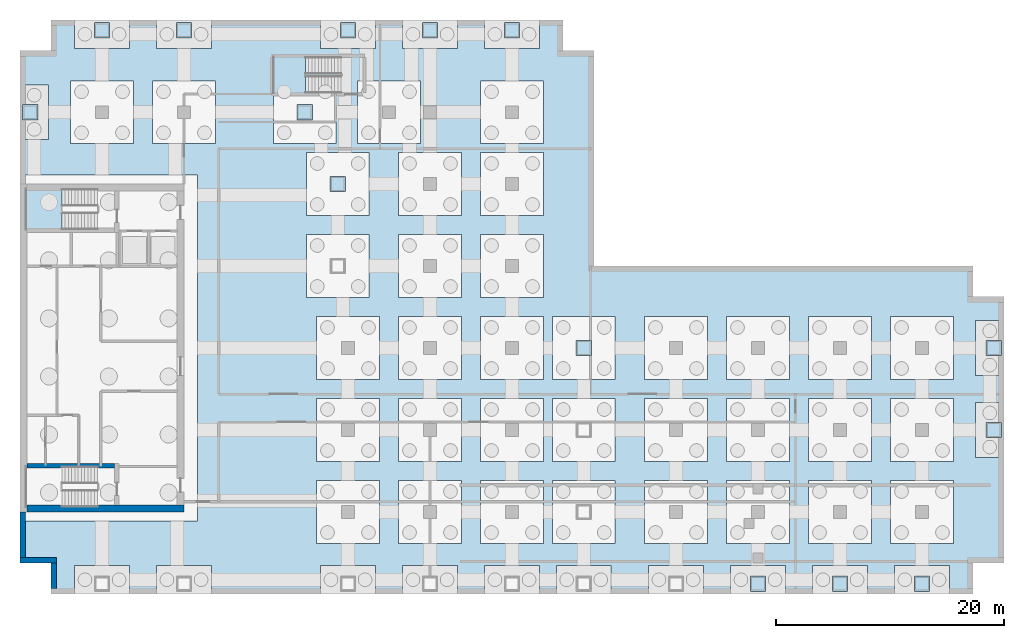
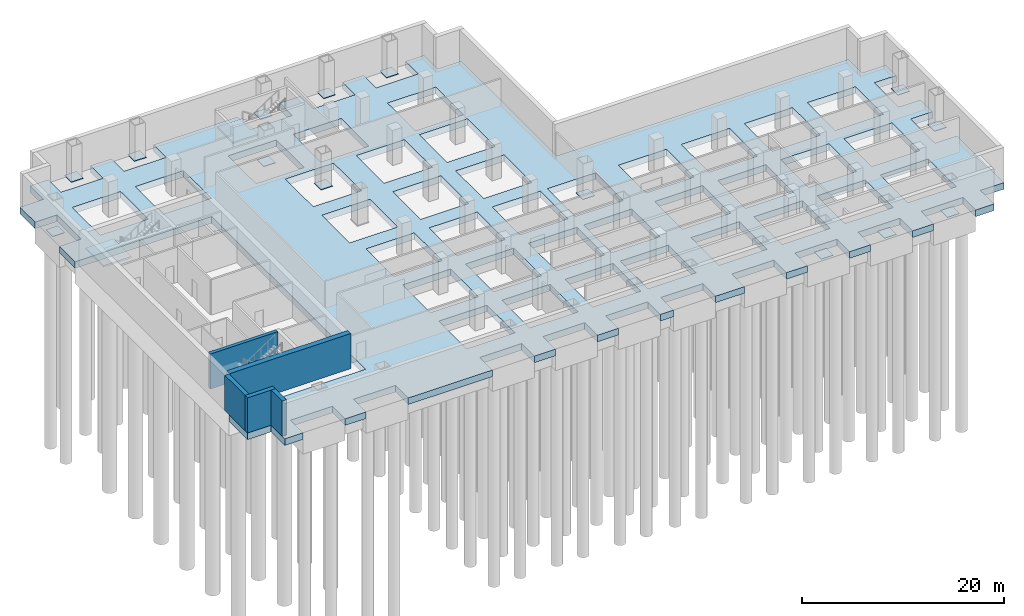
# One storey, part 4 of 11: 14 plates, 5 walls, 3 slabs, 35 openings, 2 elements without a shape of their own.
"""IFC4 building model written with IfcOpenShell, lengths in metres."""

from ifc_helpers import new_model, si_unit, direction, frame, frame_2d, origin, origin_2d, place, context, subcontext, project, spatial, polyline, rectangle, outline, extrude, material, layer, layer_set, type_object, element, aggregate, save


model = new_model("IFC4")

# Units and contexts
model_context = context("Model", 3, precision=1e-05, world=origin(), true_north=direction((0.0, 1.0)))
body_context = subcontext(model_context, "Body", "Model", "MODEL_VIEW")
ifc_project = project(units=[si_unit("LENGTHUNIT", "METRE"), si_unit("AREAUNIT", "SQUARE_METRE"), si_unit("VOLUMEUNIT", "CUBIC_METRE"), si_unit("PLANEANGLEUNIT", "RADIAN"), si_unit("MASSUNIT", "GRAM", prefix="KILO")], contexts=[model_context])

# Site, building, storey
site_placement = place(None, origin())
site = spatial("IfcSite", under=ifc_project, at=site_placement, CompositionType="ELEMENT")
building_placement = place(site_placement, origin())
building = spatial("IfcBuilding", under=site, at=building_placement, Name="Cobrela Telecom Tower", CompositionType="ELEMENT")
storey_placement = place(building_placement, frame((0.0, 0.0, -9.10009765625)))
storey = spatial("IfcBuildingStorey", under=building, at=storey_placement, Name="B2", CompositionType="ELEMENT", Elevation=-9.10009765625)

# Plates
ifc_material_1 = material(Name="Steel ASTM A572 Grade 50", Category="steel")
ifc_layer_1 = layer(ifc_material_1, 0.06005859375)
ifc_layer_set_1 = layer_set([ifc_layer_1], Name="Steel ASTM A572 Grade 50")
plate_type = type_object("IfcPlateType", Name="PLT-COL-BASE-60", PredefinedType="USERDEFINED", material=ifc_layer_set_1)
for number, where, z_axis, x_axis, name in (
    (1, (0.89990234375, 42.300048828125, 0.0), (0.0, 0.0, 1.0), (1.0, 0.0, 0.0), "B2 Mega-Column Base Plate 01"),
    (2, (7.199951171875, 49.5, 0.0), (0.0, 0.0, 1.0), (1.0, 0.0, 0.0), "B2 Mega-Column Base Plate 04"),
    (3, (14.39990234375, 49.5, 0.0), (0.0, 0.0, 1.0), (1.0, 0.0, 0.0), "B2 Mega-Column Base Plate 07"),
    (4, (25.0, 42.300048828125, 0.0), (0.0, 0.0, 1.0), (1.0, 0.0, 0.0), "B2 Mega-Column Base Plate 08"),
    (5, (27.89990234375, 36.0, 0.0), (0.0, 0.0, 1.0), (1.0, 0.0, 0.0), "B2 Mega-Column Base Plate 10"),
    (6, (28.800048828125, 49.5, 0.0), (0.0, 0.0, 1.0), (1.0, 0.0, 0.0), "B2 Mega-Column Base Plate 15"),
    (7, (36.0, 49.5, 0.0), (0.0, 0.0, 1.0), (1.0, 0.0, 0.0), "B2 Mega-Column Base Plate 24"),
    (8, (43.199951171875, 49.5, 0.0), (0.0, 0.0, 1.0), (1.0, 0.0, 0.0), "B2 Mega-Column Base Plate 32"),
    (9, (49.5, 21.60009765625, 0.0), (0.0, 0.0, 1.0), (1.0, 0.0, 0.0), "B2 Mega-Column Base Plate 36"),
    (10, (64.800048828125, 0.89990234375, 0.0), (0.0, 0.0, 1.0), (1.0, 0.0, 0.0), "B2 Mega-Column Base Plate 41"),
    (11, (72.0, 0.89990234375, 0.0), (0.0, 0.0, 1.0), (1.0, 0.0, 0.0), "B2 Mega-Column Base Plate 45"),
    (12, (79.199951171875, 0.89990234375, 0.0), (0.0, 0.0, 1.0), (1.0, 0.0, 0.0), "B2 Mega-Column Base Plate 49"),
    (13, (85.5, 14.39990234375, 0.0), (0.0, 0.0, 1.0), (1.0, 0.0, 0.0), "B2 Mega-Column Base Plate 53"),
    (14, (85.5, 21.60009765625, 0.0), (0.0, 0.0, 1.0), (1.0, 0.0, 0.0), "B2 Mega-Column Base Plate 54"),
):
    element("IfcPlate", number, at=place(storey_placement, frame(where, z_axis=z_axis, x_axis=x_axis)), inside=storey, type_object=plate_type, Name=name, ObjectType="BASE PLATE", PredefinedType="USERDEFINED", context=body_context, shape_type="SweptSolid", body=[
        extrude(rectangle(XDim=1.360107421875, YDim=1.360107421875, at=origin_2d()), origin(), (0.0, 0.0, 1.0), 0.06005859375),
    ])

# Slab, openings
ifc_material_2 = material(Name="Concrete C40/50", Category="concrete")
ifc_layer_2 = layer(ifc_material_2, 0.800048828125)
ifc_layer_set_2 = layer_set([ifc_layer_2], Name="Concrete C40/50")
slab_type_1 = type_object("IfcSlabType", Name="SLAB-BASE-800", PredefinedType="BASESLAB", material=ifc_layer_set_2)
slab_1_placement = place(storey_placement, frame((0.0, 0.0, -0.7998046875)))
slab_1 = element("IfcSlab", 15, at=slab_1_placement, inside=storey, type_object=slab_type_1, Name="Basement B2 Raft Base Slab 1", PredefinedType="BASESLAB", context=body_context, shape_type="SweptSolid", body=[
    extrude(outline(polyline([(38.39990234375, 47.89990234375), (38.39990234375, 50.39990234375), (40.800048828125, 50.39990234375), (40.800048828125, 47.89990234375), (45.60009765625, 47.89990234375), (45.60009765625, 50.39990234375), (47.699951171875, 50.39990234375), (47.699951171875, 47.699951171875), (50.39990234375, 47.699951171875), (50.39990234375, 28.800048828125), (83.699951171875, 28.800048828125), (83.699951171875, 26.10009765625), (86.39990234375, 26.10009765625), (86.39990234375, 24.0), (83.89990234375, 24.0), (83.89990234375, 19.199951171875), (86.39990234375, 19.199951171875), (86.39990234375, 16.800048828125), (83.89990234375, 16.800048828125), (83.89990234375, 12.0), (86.39990234375, 12.0), (86.39990234375, 2.699951171875), (83.699951171875, 2.699951171875), (83.699951171875, 0.0), (81.60009765625, 0.0), (81.60009765625, 2.5), (76.800048828125, 2.5), (76.800048828125, 0.0), (74.39990234375, 0.0), (74.39990234375, 2.5), (69.60009765625, 2.5), (69.60009765625, 0.0), (67.199951171875, 0.0), (67.199951171875, 2.5), (62.39990234375, 2.5), (62.39990234375, 0.0), (60.0, 0.0), (60.0, 2.5), (55.199951171875, 2.5), (55.199951171875, 0.0), (51.89990234375, 0.0), (51.89990234375, 2.5), (47.10009765625, 2.5), (47.10009765625, 0.0), (45.60009765625, 0.0), (45.60009765625, 2.5), (40.800048828125, 2.5), (40.800048828125, 0.0), (38.39990234375, 0.0), (38.39990234375, 2.5), (33.60009765625, 2.5), (33.60009765625, 0.0), (31.199951171875, 0.0), (31.199951171875, 2.5), (26.39990234375, 2.5), (26.39990234375, 0.0), (16.800048828125, 0.0), (16.800048828125, 2.5), (12.0, 2.5), (12.0, 0.0), (9.60009765625, 0.0), (9.60009765625, 2.5), (4.800048828125, 2.5), (4.800048828125, 0.0), (2.699951171875, 0.0), (2.699951171875, 2.699951171875), (0.0, 2.699951171875), (0.0, 6.39990234375), (15.60009765625, 6.39990234375), (15.60009765625, 36.800048828125), (0.0, 36.800048828125), (0.0, 39.89990234375), (2.5, 39.89990234375), (2.5, 44.699951171875), (0.0, 44.699951171875), (0.0, 47.699951171875), (2.699951171875, 47.699951171875), (2.699951171875, 50.39990234375), (4.800048828125, 50.39990234375), (4.800048828125, 47.89990234375), (9.60009765625, 47.89990234375), (9.60009765625, 50.39990234375), (12.0, 50.39990234375), (12.0, 47.89990234375), (16.800048828125, 47.89990234375), (16.800048828125, 50.39990234375), (26.39990234375, 50.39990234375), (26.39990234375, 47.89990234375), (31.199951171875, 47.89990234375), (31.199951171875, 50.39990234375), (33.60009765625, 50.39990234375), (33.60009765625, 47.89990234375), (38.39990234375, 47.89990234375)])), origin(), (0.0, 0.0, 1.0), 0.7998046875),
])
opening_1_placement = place(slab_1_placement, frame((0.0, 0.0, -0.02001953125)))
element("IfcOpeningElement", 16, at=opening_1_placement, cuts=slab_1, Name="Slab Shaft Opening SLAB-B2-BASE-1.1", PredefinedType="OPENING", context=body_context, shape_type="SweptSolid", body=[
    extrude(outline(polyline([(4.449951171875, 39.550048828125), (9.949951171875, 39.550048828125), (9.949951171875, 45.050048828125), (4.449951171875, 45.050048828125), (4.449951171875, 39.550048828125)])), origin(), (0.0, 0.0, 1.0), 0.83984375),
])
opening_2_placement = place(slab_1_placement, frame((0.0, 0.0, -0.02001953125)))
element("IfcOpeningElement", 17, at=opening_2_placement, cuts=slab_1, Name="Slab Shaft Opening SLAB-B2-BASE-1.2", PredefinedType="OPENING", context=body_context, shape_type="SweptSolid", body=[
    extrude(outline(polyline([(17.14990234375, 39.550048828125), (17.14990234375, 45.050048828125), (11.64990234375, 45.050048828125), (11.64990234375, 39.550048828125), (17.14990234375, 39.550048828125)])), origin(), (0.0, 0.0, 1.0), 0.83984375),
])
opening_3_placement = place(slab_1_placement, frame((0.0, 0.0, -0.02001953125)))
element("IfcOpeningElement", 18, at=opening_3_placement, cuts=slab_1, Name="Slab Shaft Opening SLAB-B2-BASE-1.3", PredefinedType="OPENING", context=body_context, shape_type="SweptSolid", body=[
    extrude(outline(polyline([(22.25, 45.050048828125), (22.25, 39.550048828125), (27.75, 39.550048828125), (27.75, 45.050048828125), (22.25, 45.050048828125)])), origin(), (0.0, 0.0, 1.0), 0.83984375),
])
opening_4_placement = place(slab_1_placement, frame((0.0, 0.0, -0.02001953125)))
element("IfcOpeningElement", 19, at=opening_4_placement, cuts=slab_1, Name="Slab Shaft Opening SLAB-B2-BASE-1.4", PredefinedType="OPENING", context=body_context, shape_type="SweptSolid", body=[
    extrude(outline(polyline([(30.64990234375, 31.550048828125), (25.14990234375, 31.550048828125), (25.14990234375, 26.050048828125), (30.64990234375, 26.050048828125), (30.64990234375, 31.550048828125)])), origin(), (0.0, 0.0, 1.0), 0.83984375),
])
opening_5_placement = place(slab_1_placement, frame((0.0, 0.0, -0.02001953125)))
element("IfcOpeningElement", 20, at=opening_5_placement, cuts=slab_1, Name="Slab Shaft Opening SLAB-B2-BASE-1.5", PredefinedType="OPENING", context=body_context, shape_type="SweptSolid", body=[
    extrude(outline(polyline([(30.64990234375, 33.25), (30.64990234375, 38.75), (25.14990234375, 38.75), (25.14990234375, 33.25), (30.64990234375, 33.25)])), origin(), (0.0, 0.0, 1.0), 0.83984375),
])
opening_6_placement = place(slab_1_placement, frame((0.0, 0.0, -0.02001953125)))
element("IfcOpeningElement", 21, at=opening_6_placement, cuts=slab_1, Name="Slab Shaft Opening SLAB-B2-BASE-1.6", PredefinedType="OPENING", context=body_context, shape_type="SweptSolid", body=[
    extrude(outline(polyline([(26.050048828125, 9.949951171875), (26.050048828125, 4.449951171875), (31.550048828125, 4.449951171875), (31.550048828125, 9.949951171875), (26.050048828125, 9.949951171875)])), origin(), (0.0, 0.0, 1.0), 0.83984375),
])
opening_7_placement = place(slab_1_placement, frame((0.0, 0.0, -0.02001953125)))
element("IfcOpeningElement", 22, at=opening_7_placement, cuts=slab_1, Name="Slab Shaft Opening SLAB-B2-BASE-1.7", PredefinedType="OPENING", context=body_context, shape_type="SweptSolid", body=[
    extrude(outline(polyline([(31.550048828125, 17.14990234375), (26.050048828125, 17.14990234375), (26.050048828125, 11.64990234375), (31.550048828125, 11.64990234375), (31.550048828125, 17.14990234375)])), origin(), (0.0, 0.0, 1.0), 0.83984375),
])
opening_8_placement = place(slab_1_placement, frame((0.0, 0.0, -0.02001953125)))
element("IfcOpeningElement", 23, at=opening_8_placement, cuts=slab_1, Name="Slab Shaft Opening SLAB-B2-BASE-1.8", PredefinedType="OPENING", context=body_context, shape_type="SweptSolid", body=[
    extrude(outline(polyline([(31.550048828125, 18.85009765625), (31.550048828125, 24.35009765625), (26.050048828125, 24.35009765625), (26.050048828125, 18.85009765625), (31.550048828125, 18.85009765625)])), origin(), (0.0, 0.0, 1.0), 0.83984375),
])
opening_9_placement = place(slab_1_placement, frame((0.0, 0.0, -0.02001953125)))
element("IfcOpeningElement", 24, at=opening_9_placement, cuts=slab_1, Name="Slab Shaft Opening SLAB-B2-BASE-1.9", PredefinedType="OPENING", context=body_context, shape_type="SweptSolid", body=[
    extrude(outline(polyline([(29.64990234375, 45.050048828125), (29.64990234375, 39.550048828125), (35.14990234375, 39.550048828125), (35.14990234375, 45.050048828125), (29.64990234375, 45.050048828125)])), origin(), (0.0, 0.0, 1.0), 0.83984375),
])
opening_10_placement = place(slab_1_placement, frame((0.0, 0.0, -0.02001953125)))
element("IfcOpeningElement", 25, at=opening_10_placement, cuts=slab_1, Name="Slab Shaft Opening SLAB-B2-BASE-1.10", PredefinedType="OPENING", context=body_context, shape_type="SweptSolid", body=[
    extrude(outline(polyline([(38.75, 4.449951171875), (38.75, 9.949951171875), (33.25, 9.949951171875), (33.25, 4.449951171875), (38.75, 4.449951171875)])), origin(), (0.0, 0.0, 1.0), 0.83984375),
])
opening_11_placement = place(slab_1_placement, frame((0.0, 0.0, -0.02001953125)))
element("IfcOpeningElement", 26, at=opening_11_placement, cuts=slab_1, Name="Slab Shaft Opening SLAB-B2-BASE-1.11", PredefinedType="OPENING", context=body_context, shape_type="SweptSolid", body=[
    extrude(outline(polyline([(33.25, 11.64990234375), (38.75, 11.64990234375), (38.75, 17.14990234375), (33.25, 17.14990234375), (33.25, 11.64990234375)])), origin(), (0.0, 0.0, 1.0), 0.83984375),
])
opening_12_placement = place(slab_1_placement, frame((0.0, 0.0, -0.02001953125)))
element("IfcOpeningElement", 27, at=opening_12_placement, cuts=slab_1, Name="Slab Shaft Opening SLAB-B2-BASE-1.12", PredefinedType="OPENING", context=body_context, shape_type="SweptSolid", body=[
    extrude(outline(polyline([(33.25, 24.35009765625), (33.25, 18.85009765625), (38.75, 18.85009765625), (38.75, 24.35009765625), (33.25, 24.35009765625)])), origin(), (0.0, 0.0, 1.0), 0.83984375),
])
opening_13_placement = place(slab_1_placement, frame((0.0, 0.0, -0.02001953125)))
element("IfcOpeningElement", 28, at=opening_13_placement, cuts=slab_1, Name="Slab Shaft Opening SLAB-B2-BASE-1.13", PredefinedType="OPENING", context=body_context, shape_type="SweptSolid", body=[
    extrude(outline(polyline([(38.75, 31.550048828125), (33.25, 31.550048828125), (33.25, 26.050048828125), (38.75, 26.050048828125), (38.75, 31.550048828125)])), origin(), (0.0, 0.0, 1.0), 0.83984375),
])
opening_14_placement = place(slab_1_placement, frame((0.0, 0.0, -0.02001953125)))
element("IfcOpeningElement", 29, at=opening_14_placement, cuts=slab_1, Name="Slab Shaft Opening SLAB-B2-BASE-1.14", PredefinedType="OPENING", context=body_context, shape_type="SweptSolid", body=[
    extrude(outline(polyline([(38.75, 33.25), (38.75, 38.75), (33.25, 38.75), (33.25, 33.25), (38.75, 33.25)])), origin(), (0.0, 0.0, 1.0), 0.83984375),
])
opening_15_placement = place(slab_1_placement, frame((0.0, 0.0, -0.02001953125)))
element("IfcOpeningElement", 30, at=opening_15_placement, cuts=slab_1, Name="Slab Shaft Opening SLAB-B2-BASE-1.15", PredefinedType="OPENING", context=body_context, shape_type="SweptSolid", body=[
    extrude(outline(polyline([(45.949951171875, 9.949951171875), (40.449951171875, 9.949951171875), (40.449951171875, 4.449951171875), (45.949951171875, 4.449951171875), (45.949951171875, 9.949951171875)])), origin(), (0.0, 0.0, 1.0), 0.83984375),
])
opening_16_placement = place(slab_1_placement, frame((0.0, 0.0, -0.02001953125)))
element("IfcOpeningElement", 31, at=opening_16_placement, cuts=slab_1, Name="Slab Shaft Opening SLAB-B2-BASE-1.16", PredefinedType="OPENING", context=body_context, shape_type="SweptSolid", body=[
    extrude(outline(polyline([(45.949951171875, 11.64990234375), (45.949951171875, 17.14990234375), (40.449951171875, 17.14990234375), (40.449951171875, 11.64990234375), (45.949951171875, 11.64990234375)])), origin(), (0.0, 0.0, 1.0), 0.83984375),
])
opening_17_placement = place(slab_1_placement, frame((0.0, 0.0, -0.02001953125)))
element("IfcOpeningElement", 32, at=opening_17_placement, cuts=slab_1, Name="Slab Shaft Opening SLAB-B2-BASE-1.17", PredefinedType="OPENING", context=body_context, shape_type="SweptSolid", body=[
    extrude(outline(polyline([(40.449951171875, 18.85009765625), (45.949951171875, 18.85009765625), (45.949951171875, 24.35009765625), (40.449951171875, 24.35009765625), (40.449951171875, 18.85009765625)])), origin(), (0.0, 0.0, 1.0), 0.83984375),
])
opening_18_placement = place(slab_1_placement, frame((0.0, 0.0, -0.02001953125)))
element("IfcOpeningElement", 33, at=opening_18_placement, cuts=slab_1, Name="Slab Shaft Opening SLAB-B2-BASE-1.18", PredefinedType="OPENING", context=body_context, shape_type="SweptSolid", body=[
    extrude(outline(polyline([(40.449951171875, 31.550048828125), (40.449951171875, 26.050048828125), (45.949951171875, 26.050048828125), (45.949951171875, 31.550048828125), (40.449951171875, 31.550048828125)])), origin(), (0.0, 0.0, 1.0), 0.83984375),
])
opening_19_placement = place(slab_1_placement, frame((0.0, 0.0, -0.02001953125)))
element("IfcOpeningElement", 34, at=opening_19_placement, cuts=slab_1, Name="Slab Shaft Opening SLAB-B2-BASE-1.19", PredefinedType="OPENING", context=body_context, shape_type="SweptSolid", body=[
    extrude(outline(polyline([(45.949951171875, 38.75), (40.449951171875, 38.75), (40.449951171875, 33.25), (45.949951171875, 33.25), (45.949951171875, 38.75)])), origin(), (0.0, 0.0, 1.0), 0.83984375),
])
opening_20_placement = place(slab_1_placement, frame((0.0, 0.0, -0.02001953125)))
element("IfcOpeningElement", 35, at=opening_20_placement, cuts=slab_1, Name="Slab Shaft Opening SLAB-B2-BASE-1.20", PredefinedType="OPENING", context=body_context, shape_type="SweptSolid", body=[
    extrude(outline(polyline([(45.949951171875, 39.550048828125), (45.949951171875, 45.050048828125), (40.449951171875, 45.050048828125), (40.449951171875, 39.550048828125), (45.949951171875, 39.550048828125)])), origin(), (0.0, 0.0, 1.0), 0.83984375),
])
opening_21_placement = place(slab_1_placement, frame((0.0, 0.0, -0.02001953125)))
element("IfcOpeningElement", 36, at=opening_21_placement, cuts=slab_1, Name="Slab Shaft Opening SLAB-B2-BASE-1.21", PredefinedType="OPENING", context=body_context, shape_type="SweptSolid", body=[
    extrude(outline(polyline([(52.25, 9.949951171875), (46.75, 9.949951171875), (46.75, 4.449951171875), (52.25, 4.449951171875), (52.25, 9.949951171875)])), origin(), (0.0, 0.0, 1.0), 0.83984375),
])
opening_22_placement = place(slab_1_placement, frame((0.0, 0.0, -0.02001953125)))
element("IfcOpeningElement", 37, at=opening_22_placement, cuts=slab_1, Name="Slab Shaft Opening SLAB-B2-BASE-1.22", PredefinedType="OPENING", context=body_context, shape_type="SweptSolid", body=[
    extrude(outline(polyline([(52.25, 11.64990234375), (52.25, 17.14990234375), (46.75, 17.14990234375), (46.75, 11.64990234375), (52.25, 11.64990234375)])), origin(), (0.0, 0.0, 1.0), 0.83984375),
])
opening_23_placement = place(slab_1_placement, frame((0.0, 0.0, -0.02001953125)))
element("IfcOpeningElement", 38, at=opening_23_placement, cuts=slab_1, Name="Slab Shaft Opening SLAB-B2-BASE-1.23", PredefinedType="OPENING", context=body_context, shape_type="SweptSolid", body=[
    extrude(outline(polyline([(46.75, 18.85009765625), (52.25, 18.85009765625), (52.25, 24.35009765625), (46.75, 24.35009765625), (46.75, 18.85009765625)])), origin(), (0.0, 0.0, 1.0), 0.83984375),
])
opening_24_placement = place(slab_1_placement, frame((0.0, 0.0, -0.02001953125)))
element("IfcOpeningElement", 39, at=opening_24_placement, cuts=slab_1, Name="Slab Shaft Opening SLAB-B2-BASE-1.24", PredefinedType="OPENING", context=body_context, shape_type="SweptSolid", body=[
    extrude(outline(polyline([(60.35009765625, 9.949951171875), (54.85009765625, 9.949951171875), (54.85009765625, 4.449951171875), (60.35009765625, 4.449951171875), (60.35009765625, 9.949951171875)])), origin(), (0.0, 0.0, 1.0), 0.83984375),
])
opening_25_placement = place(slab_1_placement, frame((0.0, 0.0, -0.02001953125)))
element("IfcOpeningElement", 40, at=opening_25_placement, cuts=slab_1, Name="Slab Shaft Opening SLAB-B2-BASE-1.25", PredefinedType="OPENING", context=body_context, shape_type="SweptSolid", body=[
    extrude(outline(polyline([(60.35009765625, 11.64990234375), (60.35009765625, 17.14990234375), (54.85009765625, 17.14990234375), (54.85009765625, 11.64990234375), (60.35009765625, 11.64990234375)])), origin(), (0.0, 0.0, 1.0), 0.83984375),
])
opening_26_placement = place(slab_1_placement, frame((0.0, 0.0, -0.02001953125)))
element("IfcOpeningElement", 41, at=opening_26_placement, cuts=slab_1, Name="Slab Shaft Opening SLAB-B2-BASE-1.26", PredefinedType="OPENING", context=body_context, shape_type="SweptSolid", body=[
    extrude(outline(polyline([(54.85009765625, 18.85009765625), (60.35009765625, 18.85009765625), (60.35009765625, 24.35009765625), (54.85009765625, 24.35009765625), (54.85009765625, 18.85009765625)])), origin(), (0.0, 0.0, 1.0), 0.83984375),
])
opening_27_placement = place(slab_1_placement, frame((0.0, 0.0, -0.02001953125)))
element("IfcOpeningElement", 42, at=opening_27_placement, cuts=slab_1, Name="Slab Shaft Opening SLAB-B2-BASE-1.27", PredefinedType="OPENING", context=body_context, shape_type="SweptSolid", body=[
    extrude(outline(polyline([(67.550048828125, 9.949951171875), (62.050048828125, 9.949951171875), (62.050048828125, 4.449951171875), (67.550048828125, 4.449951171875), (67.550048828125, 9.949951171875)])), origin(), (0.0, 0.0, 1.0), 0.83984375),
])
opening_28_placement = place(slab_1_placement, frame((0.0, 0.0, -0.02001953125)))
element("IfcOpeningElement", 43, at=opening_28_placement, cuts=slab_1, Name="Slab Shaft Opening SLAB-B2-BASE-1.28", PredefinedType="OPENING", context=body_context, shape_type="SweptSolid", body=[
    extrude(outline(polyline([(67.550048828125, 11.64990234375), (67.550048828125, 17.14990234375), (62.050048828125, 17.14990234375), (62.050048828125, 11.64990234375), (67.550048828125, 11.64990234375)])), origin(), (0.0, 0.0, 1.0), 0.83984375),
])
opening_29_placement = place(slab_1_placement, frame((0.0, 0.0, -0.02001953125)))
element("IfcOpeningElement", 44, at=opening_29_placement, cuts=slab_1, Name="Slab Shaft Opening SLAB-B2-BASE-1.29", PredefinedType="OPENING", context=body_context, shape_type="SweptSolid", body=[
    extrude(outline(polyline([(62.050048828125, 18.85009765625), (67.550048828125, 18.85009765625), (67.550048828125, 24.35009765625), (62.050048828125, 24.35009765625), (62.050048828125, 18.85009765625)])), origin(), (0.0, 0.0, 1.0), 0.83984375),
])
opening_30_placement = place(slab_1_placement, frame((0.0, 0.0, -0.02001953125)))
element("IfcOpeningElement", 45, at=opening_30_placement, cuts=slab_1, Name="Slab Shaft Opening SLAB-B2-BASE-1.30", PredefinedType="OPENING", context=body_context, shape_type="SweptSolid", body=[
    extrude(outline(polyline([(74.75, 9.949951171875), (69.25, 9.949951171875), (69.25, 4.449951171875), (74.75, 4.449951171875), (74.75, 9.949951171875)])), origin(), (0.0, 0.0, 1.0), 0.83984375),
])
opening_31_placement = place(slab_1_placement, frame((0.0, 0.0, -0.02001953125)))
element("IfcOpeningElement", 46, at=opening_31_placement, cuts=slab_1, Name="Slab Shaft Opening SLAB-B2-BASE-1.31", PredefinedType="OPENING", context=body_context, shape_type="SweptSolid", body=[
    extrude(outline(polyline([(74.75, 11.64990234375), (74.75, 17.14990234375), (69.25, 17.14990234375), (69.25, 11.64990234375), (74.75, 11.64990234375)])), origin(), (0.0, 0.0, 1.0), 0.83984375),
])
opening_32_placement = place(slab_1_placement, frame((0.0, 0.0, -0.02001953125)))
element("IfcOpeningElement", 47, at=opening_32_placement, cuts=slab_1, Name="Slab Shaft Opening SLAB-B2-BASE-1.32", PredefinedType="OPENING", context=body_context, shape_type="SweptSolid", body=[
    extrude(outline(polyline([(69.25, 18.85009765625), (74.75, 18.85009765625), (74.75, 24.35009765625), (69.25, 24.35009765625), (69.25, 18.85009765625)])), origin(), (0.0, 0.0, 1.0), 0.83984375),
])
opening_33_placement = place(slab_1_placement, frame((0.0, 0.0, -0.02001953125)))
element("IfcOpeningElement", 48, at=opening_33_placement, cuts=slab_1, Name="Slab Shaft Opening SLAB-B2-BASE-1.33", PredefinedType="OPENING", context=body_context, shape_type="SweptSolid", body=[
    extrude(outline(polyline([(81.949951171875, 9.949951171875), (76.449951171875, 9.949951171875), (76.449951171875, 4.449951171875), (81.949951171875, 4.449951171875), (81.949951171875, 9.949951171875)])), origin(), (0.0, 0.0, 1.0), 0.83984375),
])
opening_34_placement = place(slab_1_placement, frame((0.0, 0.0, -0.02001953125)))
element("IfcOpeningElement", 49, at=opening_34_placement, cuts=slab_1, Name="Slab Shaft Opening SLAB-B2-BASE-1.34", PredefinedType="OPENING", context=body_context, shape_type="SweptSolid", body=[
    extrude(outline(polyline([(81.949951171875, 11.64990234375), (81.949951171875, 17.14990234375), (76.449951171875, 17.14990234375), (76.449951171875, 11.64990234375), (81.949951171875, 11.64990234375)])), origin(), (0.0, 0.0, 1.0), 0.83984375),
])
opening_35_placement = place(slab_1_placement, frame((0.0, 0.0, -0.02001953125)))
element("IfcOpeningElement", 50, at=opening_35_placement, cuts=slab_1, Name="Slab Shaft Opening SLAB-B2-BASE-1.35", PredefinedType="OPENING", context=body_context, shape_type="SweptSolid", body=[
    extrude(outline(polyline([(76.449951171875, 18.85009765625), (81.949951171875, 18.85009765625), (81.949951171875, 24.35009765625), (76.449951171875, 24.35009765625), (76.449951171875, 18.85009765625)])), origin(), (0.0, 0.0, 1.0), 0.83984375),
])

# Stair, slab
stair_type = type_object("IfcStairType", Name="STAIR-CORE", PredefinedType="HALF_TURN_STAIR", material=ifc_material_2)
stair_1_placement = place(storey_placement, origin())
stair_1 = element("IfcStair", 51, at=stair_1_placement, inside=storey, type_object=stair_type, Name="B2 Smokeproof Exit Stair ST1", PredefinedType="HALF_TURN_STAIR")
ifc_layer_3 = layer(ifc_material_2, 0.199951171875)
ifc_layer_set_3 = layer_set([ifc_layer_3], Name="Concrete C40/50")
slab_type_2 = type_object("IfcSlabType", Name="SLAB-LAND-200", PredefinedType="LANDING", material=ifc_layer_set_3)
slab_2_placement = place(storey_placement, frame((0.0, 0.0, 2.0751953125)))
slab_2 = element("IfcSlab", 52, at=slab_2_placement, type_object=slab_type_2, Name="ST1 landing 1", PredefinedType="LANDING", context=body_context, shape_type="SweptSolid", body=[
    extrude(outline(polyline([(3.68505859375, 35.550048828125), (0.47998046875, 35.550048828125), (0.47998046875, 32.0), (3.68505859375, 32.0), (3.68505859375, 35.550048828125)])), origin(), (0.0, 0.0, 1.0), 0.199951171875),
])
aggregate(stair_1, [slab_2])

stair_2_placement = place(storey_placement, origin())
stair_2 = element("IfcStair", 53, at=stair_2_placement, inside=storey, type_object=stair_type, Name="B2 Smokeproof Exit Stair ST3", PredefinedType="HALF_TURN_STAIR")
slab_3_placement = place(storey_placement, frame((0.0, 0.0, 2.0751953125)))
slab_3 = element("IfcSlab", 54, at=slab_3_placement, type_object=slab_type_2, Name="ST3 landing 1", PredefinedType="LANDING", context=body_context, shape_type="SweptSolid", body=[
    extrude(outline(polyline([(25.06494140625, 47.14990234375), (22.199951171875, 47.14990234375), (22.199951171875, 44.0), (25.06494140625, 44.0), (25.06494140625, 47.14990234375)])), origin(), (0.0, 0.0, 1.0), 0.199951171875),
])
aggregate(stair_2, [slab_3])

# Walls
ifc_material_3 = material(Name="Concrete C50/60", Category="concrete")
ifc_layer_4 = layer(ifc_material_3, 0.60009765625)
ifc_layer_set_4 = layer_set([ifc_layer_4], Name="Concrete C50/60")
wall_type_1 = type_object("IfcWallType", Name="WALL-CORE-C50-600", PredefinedType="SHEAR", material=ifc_layer_set_4)
wall_1_placement = place(storey_placement, frame((0.60009765625, 7.5, 0.0), z_axis=(0.0, 0.0, 1.0), x_axis=(1.0, 0.0, 0.0)))
element("IfcWall", 55, at=wall_1_placement, inside=storey, type_object=wall_type_1, Name="B2 South Core Shear Wall", PredefinedType="SHEAR", context=body_context, shape_type="SweptSolid", body=[
    extrude(rectangle(XDim=13.7998046875, YDim=0.60009765625, at=frame_2d((6.89990234375, 0.0))), origin(), (0.0, 0.0, 1.0), 4.25),
])
ifc_layer_5 = layer(ifc_material_2, 0.5)
ifc_layer_set_5 = layer_set([ifc_layer_5], Name="Concrete C40/50")
wall_type_2 = type_object("IfcWallType", Name="WALL-RET-C40-500", PredefinedType="SOLIDWALL", material=ifc_layer_set_5)
wall_2_placement = place(storey_placement, frame((2.949951171875, 0.5, 0.0), z_axis=(0.0, 0.0, 1.0), x_axis=(0.0, 1.0, 0.0)))
element("IfcWall", 56, at=wall_2_placement, inside=storey, type_object=wall_type_2, Name="B2 Basement Retaining Wall 01", PredefinedType="SOLIDWALL", context=body_context, shape_type="SweptSolid", body=[
    extrude(rectangle(XDim=2.199951171875, YDim=0.5, at=frame_2d((1.10009765625, 0.0))), origin(), (0.0, 0.0, 1.0), 4.25),
])
wall_3_placement = place(storey_placement, frame((3.199951171875, 2.949951171875, 0.0), z_axis=(0.0, 0.0, 1.0), x_axis=(-1.0, 0.0, 0.0)))
element("IfcWall", 57, at=wall_3_placement, inside=storey, type_object=wall_type_2, Name="B2 Basement Retaining Wall 02", PredefinedType="SOLIDWALL", context=body_context, shape_type="SweptSolid", body=[
    extrude(rectangle(XDim=3.199951171875, YDim=0.5, at=frame_2d((1.60009765625, 0.0))), origin(), (0.0, 0.0, 1.0), 4.25),
])
wall_4_placement = place(storey_placement, frame((0.25, 3.199951171875, 0.0), z_axis=(0.0, 0.0, 1.0), x_axis=(0.0, 1.0, 0.0)))
element("IfcWall", 58, at=wall_4_placement, inside=storey, type_object=wall_type_2, Name="B2 Basement Retaining Wall 3.1", PredefinedType="SOLIDWALL", context=body_context, shape_type="SweptSolid", body=[
    extrude(rectangle(XDim=4.0, YDim=0.5, at=frame_2d((2.0, 0.0))), origin(), (0.0, 0.0, 1.0), 4.25),
])
ifc_layer_6 = layer(ifc_material_2, 0.39990234375)
ifc_layer_set_6 = layer_set([ifc_layer_6], Name="Concrete C40/50")
wall_type_3 = type_object("IfcWallType", Name="WALL-SHAFT-C40-400", PredefinedType="SHEAR", material=ifc_layer_set_6)
wall_5_placement = place(storey_placement, frame((0.60009765625, 11.280029296875, 0.0), z_axis=(0.0, 0.0, 1.0), x_axis=(1.0, 0.0, 0.0)))
element("IfcWall", 59, at=wall_5_placement, inside=storey, type_object=wall_type_3, Name="B2 South Stair Shear Wall", PredefinedType="SHEAR", context=body_context, shape_type="SweptSolid", body=[
    extrude(rectangle(XDim=7.699951171875, YDim=0.39990234375, at=frame_2d((3.85009765625, 0.0))), origin(), (0.0, 0.0, 1.0), 4.25),
])

save(model, "model.ifc")
